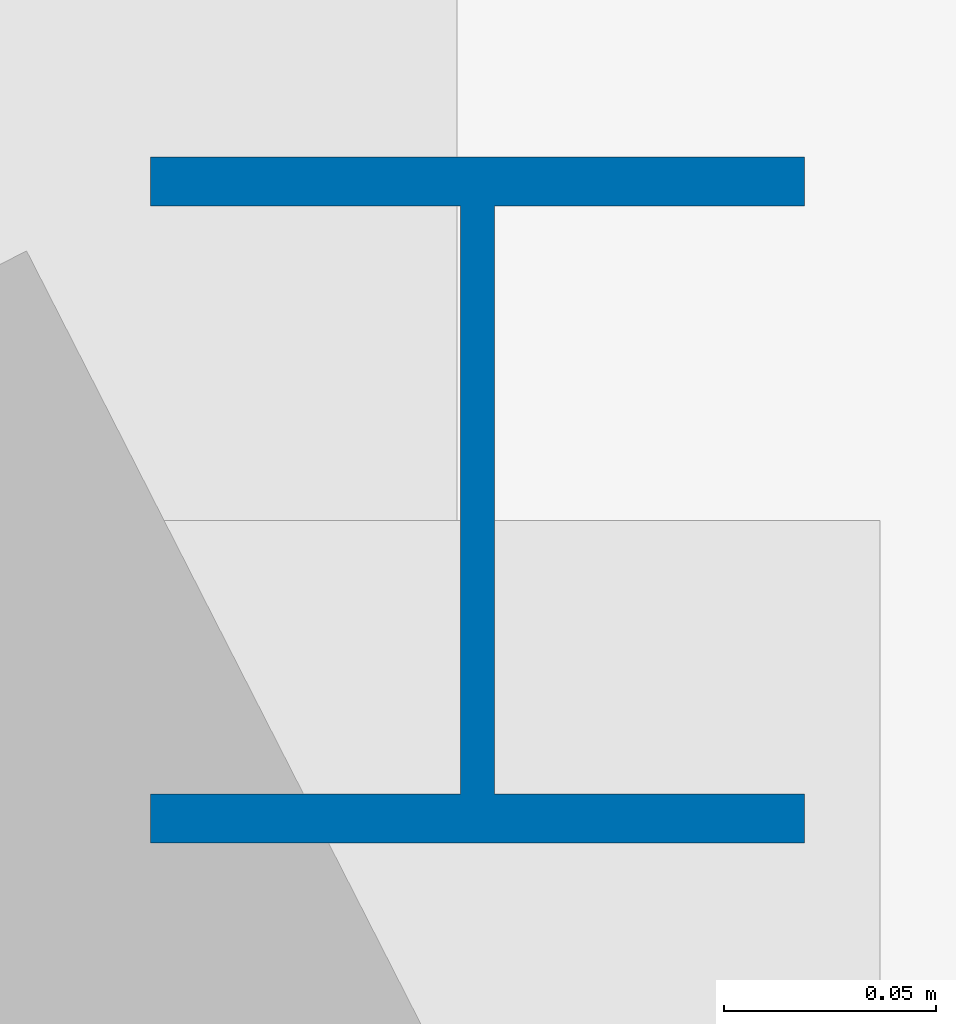
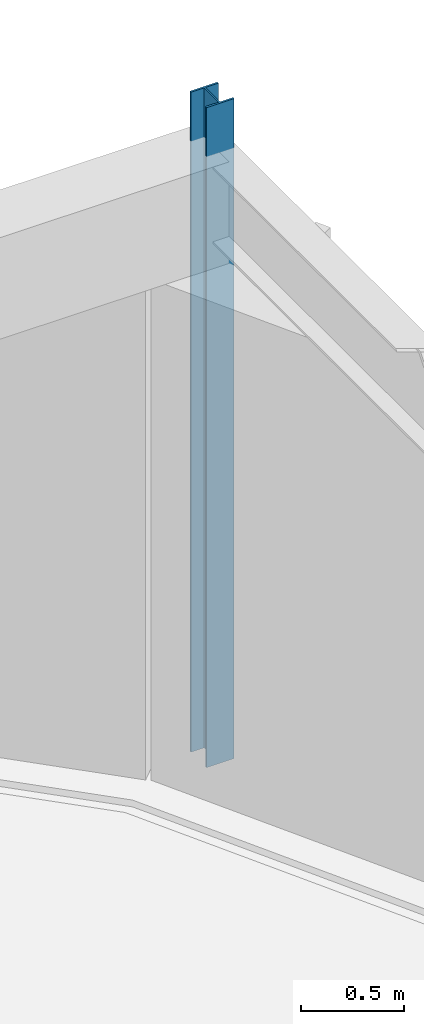
# One storey, part 17 of 111: 1 column.
"""IFC4 building model written with IfcOpenShell, lengths in metres."""

from ifc_helpers import new_model, si_unit, direction, frame, origin, origin_2d, place, context, subcontext, project, spatial, i_section, extrude, material, material_profile, profile_set, type_object, element, save


model = new_model("IFC4")

# Units and contexts
model_context = context("Model", 3, precision=1e-05, world=origin(), true_north=direction((0.0, 1.0)))
body_context = subcontext(model_context, "Body", "Model", "MODEL_VIEW")
ifc_project = project(units=[si_unit("LENGTHUNIT", "METRE"), si_unit("AREAUNIT", "SQUARE_METRE"), si_unit("VOLUMEUNIT", "CUBIC_METRE"), si_unit("PLANEANGLEUNIT", "RADIAN"), si_unit("MASSUNIT", "GRAM", prefix="KILO")], contexts=[model_context])

# Site, building, storey
site_placement = place(None, origin())
site = spatial("IfcSite", under=ifc_project, at=site_placement, CompositionType="ELEMENT")
building_placement = place(site_placement, origin())
building = spatial("IfcBuilding", under=site, at=building_placement, Name="Corveleigh Park Community Centre", CompositionType="ELEMENT")
storey_placement = place(building_placement, frame((0.0, 0.0, 4.800048828125)))
storey = spatial("IfcBuildingStorey", under=building, at=storey_placement, Name="L01", CompositionType="ELEMENT", Elevation=4.800048828125)

# Column
ifc_material = material(Name="Steel S355", Category="steel")
ifc_material_profile = material_profile(ifc_material, i_section(OverallWidth=0.154296875, OverallDepth=0.161865234375, WebThickness=0.008056640625, FlangeThickness=0.011474609375, at=origin_2d()), Name="UKC 152x152x37", Category="steel")
ifc_profile_set = profile_set([ifc_material_profile], Name="Steel S355")
column_type = type_object("IfcColumnType", Name="COL-STL-UKC152x37", PredefinedType="COLUMN", material=ifc_profile_set)
column_placement = place(storey_placement, frame((168.39990234375, 104.199951171875, 0.0), z_axis=(0.0, 0.0, 1.0), x_axis=(1.0, 0.0, 0.0)))
element("IfcColumn", 1, at=column_placement, inside=storey, type_object=column_type, Name="Column V4-X7Y6 L01", PredefinedType="COLUMN", context=body_context, shape_type="SweptSolid", body=[
    extrude(i_section(OverallWidth=0.154296875, OverallDepth=0.161865234375, WebThickness=0.008056640625, FlangeThickness=0.011474609375, at=origin_2d()), origin(), (0.0, 0.0, 1.0), 3.89990234375),
])

save(model, "model.ifc")
